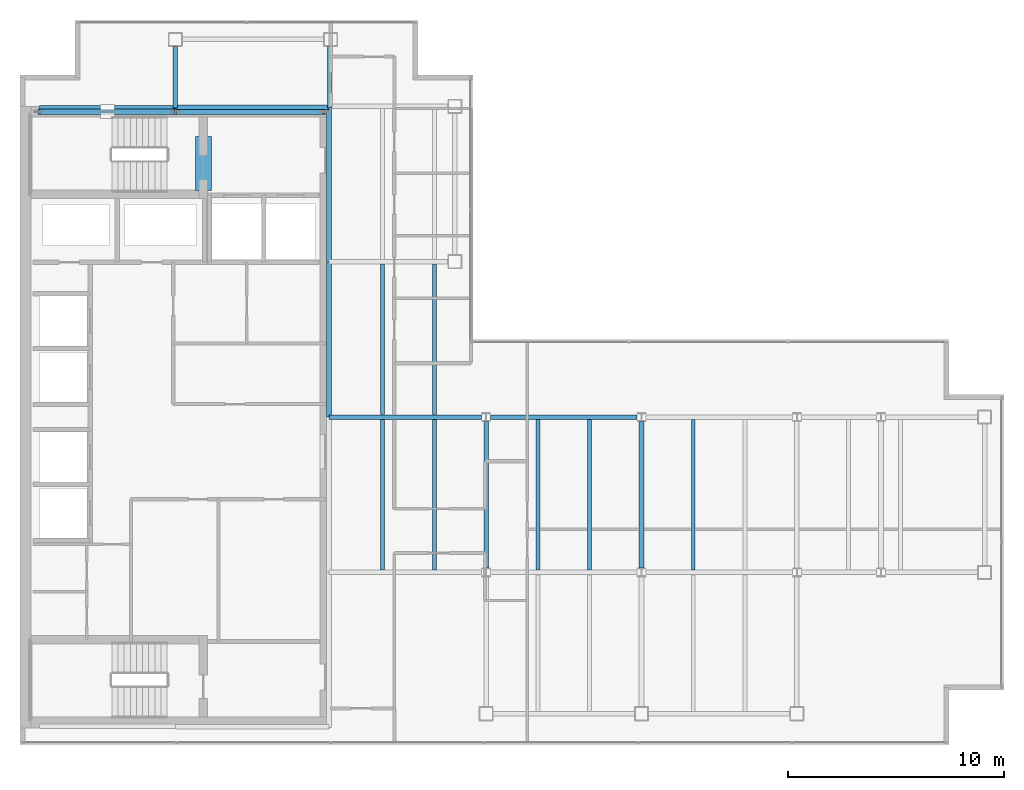
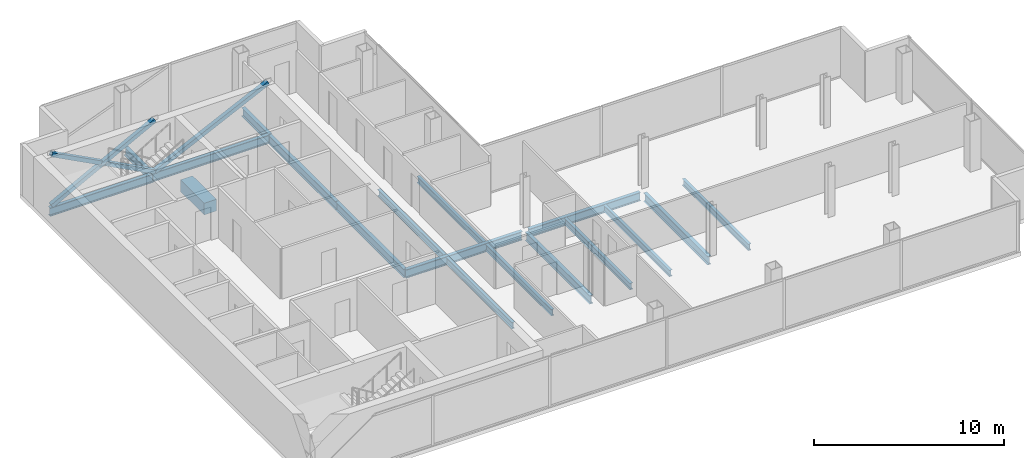
# One storey, part 7 of 23: 18 beams, 4 members.
"""IFC4 building model written with IfcOpenShell, lengths in metres."""

from ifc_helpers import new_model, si_unit, direction, frame, origin, origin_2d, place, context, subcontext, project, spatial, rectangle, hollow_rectangle, i_section, extrude, material, material_profile, profile_set, type_object, element, save


model = new_model("IFC4")

# Units and contexts
model_context = context("Model", 3, precision=1e-05, world=origin(), true_north=direction((0.0, 1.0)))
body_context = subcontext(model_context, "Body", "Model", "MODEL_VIEW")
ifc_project = project(units=[si_unit("LENGTHUNIT", "METRE"), si_unit("AREAUNIT", "SQUARE_METRE"), si_unit("VOLUMEUNIT", "CUBIC_METRE"), si_unit("PLANEANGLEUNIT", "RADIAN"), si_unit("MASSUNIT", "GRAM", prefix="KILO")], contexts=[model_context])

# Site, building, storey
site_placement = place(None, origin())
site = spatial("IfcSite", under=ifc_project, at=site_placement, CompositionType="ELEMENT")
building_placement = place(site_placement, origin())
building = spatial("IfcBuilding", under=site, at=building_placement, Name="Cobrela Telecom Tower", CompositionType="ELEMENT")
storey_placement = place(building_placement, frame((0.0, 0.0, 258.64990234375)))
storey = spatial("IfcBuildingStorey", under=building, at=storey_placement, Name="L67", CompositionType="ELEMENT", Elevation=258.64990234375)

# Beams
ifc_material_1 = material(Name="Concrete C40/50", Category="concrete")
ifc_material_profile_1 = material_profile(ifc_material_1, rectangle(XDim=0.75, YDim=0.75, at=origin_2d()), Name="RC 750x750")
ifc_profile_set_1 = profile_set([ifc_material_profile_1], Name="Concrete C40/50")
beam_type_1 = type_object("IfcBeamType", Name="BM-COUP-RC", PredefinedType="LINTEL", material=ifc_profile_set_1)
beam_1_placement = place(storey_placement, frame((8.5, 32.10009765625, -0.60986328125), z_axis=(0.0, 1.0, 0.0), x_axis=(-1.0, 0.0, 0.0)))
element("IfcBeam", 1, at=beam_1_placement, inside=storey, type_object=beam_type_1, Name="L67 Core Coupling Lintel Beam", PredefinedType="LINTEL", context=body_context, shape_type="SweptSolid", body=[
    extrude(rectangle(XDim=0.75, YDim=0.75, at=origin_2d()), origin(), (0.0, 0.0, 1.0), 2.5),
])
ifc_material_2 = material(Name="Steel ASTM A992 Grade 50", Category="steel")
ifc_material_profile_2 = material_profile(ifc_material_2, i_section(OverallWidth=0.212890625, OverallDepth=0.549072265625, WebThickness=0.0146484375, FlangeThickness=0.023681640625, FilletRadius=0.013916015625, at=origin_2d()), Name="W21X93")
ifc_profile_set_2 = profile_set([ifc_material_profile_2], Name="Steel ASTM A992 Grade 50")
beam_type_2 = type_object("IfcBeamType", Name="BM-GIRD-08", PredefinedType="USERDEFINED", material=ifc_profile_set_2)
beam_2_placement = place(storey_placement, frame((14.324951171875, 21.60009765625, -0.534423828125), z_axis=(1.0, 0.0, 0.0), x_axis=(0.0, 1.0, 0.0)))
element("IfcBeam", 2, at=beam_2_placement, inside=storey, type_object=beam_type_2, Name="L67 Primary Girder X10", ObjectType="GIRDER", PredefinedType="USERDEFINED", context=body_context, shape_type="SweptSolid", body=[
    extrude(i_section(OverallWidth=0.212890625, OverallDepth=0.549072265625, WebThickness=0.0146484375, FlangeThickness=0.023681640625, FilletRadius=0.013916015625, at=origin_2d()), origin(), (0.0, 0.0, 1.0), 7.070556640625),
])
beam_3_placement = place(storey_placement, frame((21.804443359375, 21.60009765625, -0.534423828125), z_axis=(1.0, 0.0, 0.0), x_axis=(0.0, 1.0, 0.0)))
element("IfcBeam", 3, at=beam_3_placement, inside=storey, type_object=beam_type_2, Name="L67 Primary Girder X11", ObjectType="GIRDER", PredefinedType="USERDEFINED", context=body_context, shape_type="SweptSolid", body=[
    extrude(i_section(OverallWidth=0.212890625, OverallDepth=0.549072265625, WebThickness=0.0146484375, FlangeThickness=0.023681640625, FilletRadius=0.013916015625, at=origin_2d()), origin(), (0.0, 0.0, 1.0), 6.791015625),
])
beam_4_placement = place(storey_placement, frame((0.905029296875, 35.919921875, -0.534423828125), z_axis=(1.0, 0.0, 0.0), x_axis=(0.0, 1.0, 0.0)))
element("IfcBeam", 4, at=beam_4_placement, inside=storey, type_object=beam_type_2, Name="L67 Primary Girder X16", ObjectType="GIRDER", PredefinedType="USERDEFINED", context=body_context, shape_type="SweptSolid", body=[
    extrude(i_section(OverallWidth=0.212890625, OverallDepth=0.549072265625, WebThickness=0.0146484375, FlangeThickness=0.023681640625, FilletRadius=0.013916015625, at=origin_2d()), origin(), (0.0, 0.0, 1.0), 6.2900390625),
])
beam_5_placement = place(storey_placement, frame((7.205078125, 35.9599609375, -0.534423828125), z_axis=(1.0, 0.0, 0.0), x_axis=(0.0, 1.0, 0.0)))
element("IfcBeam", 5, at=beam_5_placement, inside=storey, type_object=beam_type_2, Name="L67 Primary Girder X17", ObjectType="GIRDER", PredefinedType="USERDEFINED", context=body_context, shape_type="SweptSolid", body=[
    extrude(i_section(OverallWidth=0.212890625, OverallDepth=0.549072265625, WebThickness=0.0146484375, FlangeThickness=0.023681640625, FilletRadius=0.013916015625, at=origin_2d()), origin(), (0.0, 0.0, 1.0), 7.10986328125),
])
beam_6_placement = place(storey_placement, frame((7.199951171875, 35.925048828125, -0.534423828125), z_axis=(0.0, 1.0, 0.0), x_axis=(-1.0, 0.0, 0.0)))
element("IfcBeam", 6, at=beam_6_placement, inside=storey, type_object=beam_type_2, Name="L67 Primary Girder Y20", ObjectType="GIRDER", PredefinedType="USERDEFINED", context=body_context, shape_type="SweptSolid", body=[
    extrude(i_section(OverallWidth=0.212890625, OverallDepth=0.549072265625, WebThickness=0.0146484375, FlangeThickness=0.023681640625, FilletRadius=0.013916015625, at=origin_2d()), origin(), (0.0, 0.0, 1.0), 2.844970703125),
])
beam_7_placement = place(storey_placement, frame((14.320068359375, 21.60498046875, -0.534423828125), z_axis=(0.0, 1.0, 0.0), x_axis=(-1.0, 0.0, 0.0)))
element("IfcBeam", 7, at=beam_7_placement, inside=storey, type_object=beam_type_2, Name="L67 Primary Girder Y23", ObjectType="GIRDER", PredefinedType="USERDEFINED", context=body_context, shape_type="SweptSolid", body=[
    extrude(i_section(OverallWidth=0.212890625, OverallDepth=0.549072265625, WebThickness=0.0146484375, FlangeThickness=0.023681640625, FilletRadius=0.013916015625, at=origin_2d()), origin(), (0.0, 0.0, 1.0), 7.18994140625),
])
beam_8_placement = place(storey_placement, frame((14.320068359375, 28.804931640625, -0.534423828125), z_axis=(0.0, 1.0, 0.0), x_axis=(-1.0, 0.0, 0.0)))
element("IfcBeam", 8, at=beam_8_placement, inside=storey, type_object=beam_type_2, Name="L67 Primary Girder Y24", ObjectType="GIRDER", PredefinedType="USERDEFINED", context=body_context, shape_type="SweptSolid", body=[
    extrude(i_section(OverallWidth=0.212890625, OverallDepth=0.549072265625, WebThickness=0.0146484375, FlangeThickness=0.023681640625, FilletRadius=0.013916015625, at=origin_2d()), origin(), (0.0, 0.0, 1.0), 7.110107421875),
])
beam_9_placement = place(storey_placement, frame((14.360107421875, 35.925048828125, -0.534423828125), z_axis=(0.0, 1.0, 0.0), x_axis=(-1.0, 0.0, 0.0)))
element("IfcBeam", 9, at=beam_9_placement, inside=storey, type_object=beam_type_2, Name="L67 Primary Girder Y25", ObjectType="GIRDER", PredefinedType="USERDEFINED", context=body_context, shape_type="SweptSolid", body=[
    extrude(i_section(OverallWidth=0.212890625, OverallDepth=0.549072265625, WebThickness=0.0146484375, FlangeThickness=0.023681640625, FilletRadius=0.013916015625, at=origin_2d()), origin(), (0.0, 0.0, 1.0), 2.844970703125),
])
for number, where, z_axis, x_axis, name in (
    (10, (21.60009765625, 14.6044921875, -0.534423828125), (0.0, 1.0, 0.0), (-1.0, 0.0, 0.0), "L67 Primary Girder Y28"),
    (11, (28.800048828125, 14.6044921875, -0.534423828125), (0.0, 1.0, 0.0), (-1.0, 0.0, 0.0), "L67 Primary Girder Y30"),
):
    element("IfcBeam", number, at=place(storey_placement, frame(where, z_axis=z_axis, x_axis=x_axis)), inside=storey, type_object=beam_type_2, Name=name, ObjectType="GIRDER", PredefinedType="USERDEFINED", context=body_context, shape_type="SweptSolid", body=[
        extrude(i_section(OverallWidth=0.212890625, OverallDepth=0.549072265625, WebThickness=0.0146484375, FlangeThickness=0.023681640625, FilletRadius=0.013916015625, at=origin_2d()), origin(), (0.0, 0.0, 1.0), 6.791015625),
    ])
ifc_material_profile_3 = material_profile(ifc_material_2, i_section(OverallWidth=0.179931640625, OverallDepth=0.4169921875, WebThickness=0.010986328125, FlangeThickness=0.01806640625, FilletRadius=0.011962890625, at=origin_2d()), Name="W16X57")
ifc_profile_set_3 = profile_set([ifc_material_profile_3], Name="Steel ASTM A992 Grade 50")
beam_type_3 = type_object("IfcBeamType", Name="BM-JOIST-04", PredefinedType="JOIST", material=ifc_profile_set_3)
for number, where, z_axis, x_axis, name in (
    (12, (16.800048828125, 14.511474609375, -0.468505859375), (0.0, 1.0, 0.0), (-1.0, 0.0, 0.0), "L67 Secondary Composite Floor Beam J01"),
    (13, (16.800048828125, 21.71142578125, -0.468505859375), (0.0, 1.0, 0.0), (-1.0, 0.0, 0.0), "L67 Secondary Composite Floor Beam J02"),
    (14, (19.199951171875, 14.511474609375, -0.468505859375), (0.0, 1.0, 0.0), (-1.0, 0.0, 0.0), "L67 Secondary Composite Floor Beam J04"),
    (15, (19.199951171875, 21.71142578125, -0.468505859375), (0.0, 1.0, 0.0), (-1.0, 0.0, 0.0), "L67 Secondary Composite Floor Beam J05"),
    (16, (24.0, 14.511474609375, -0.468505859375), (0.0, 1.0, 0.0), (-1.0, 0.0, 0.0), "L67 Secondary Composite Floor Beam J08"),
    (17, (26.39990234375, 14.511474609375, -0.468505859375), (0.0, 1.0, 0.0), (-1.0, 0.0, 0.0), "L67 Secondary Composite Floor Beam J10"),
    (18, (31.199951171875, 14.511474609375, -0.468505859375), (0.0, 1.0, 0.0), (-1.0, 0.0, 0.0), "L67 Secondary Composite Floor Beam J12"),
):
    element("IfcBeam", number, at=place(storey_placement, frame(where, z_axis=z_axis, x_axis=x_axis)), inside=storey, type_object=beam_type_3, Name=name, PredefinedType="JOIST", context=body_context, shape_type="SweptSolid", body=[
        extrude(i_section(OverallWidth=0.179931640625, OverallDepth=0.4169921875, WebThickness=0.010986328125, FlangeThickness=0.01806640625, FilletRadius=0.011962890625, at=origin_2d()), origin(), (0.0, 0.0, 1.0), 6.97705078125),
    ])

# Members
ifc_material_3 = material(Name="Steel ASTM A572 Grade 50", Category="steel")
ifc_material_profile_4 = material_profile(ifc_material_3, hollow_rectangle(XDim=0.25, YDim=0.25, WallThickness=0.013916015625, at=origin_2d()), Name="HSS 250x250x14")
ifc_profile_set_4 = profile_set([ifc_material_profile_4], Name="Steel ASTM A572 Grade 50")
member_type = type_object("IfcMemberType", Name="MBR-EXO-04", PredefinedType="BRACE", material=ifc_profile_set_4)
member_1_placement = place(storey_placement, frame((0.89990234375, 35.75, -0.039794921875), z_axis=(0.884686085315, 0.0, 0.466187226821), x_axis=(0.0, 1.0, 0.0)))
element("IfcMember", 19, at=member_1_placement, inside=storey, type_object=member_type, Name="L67 Core Flange Steel X-Brace Continuous A", PredefinedType="BRACE", context=body_context, shape_type="SweptSolid", body=[
    extrude(hollow_rectangle(XDim=0.25, YDim=0.25, WallThickness=0.013916015625, at=origin_2d()), origin(), (0.0, 0.0, 1.0), 7.121337890625),
])
member_2_placement = place(storey_placement, frame((7.199951171875, 35.75, -0.039794921875), z_axis=(-0.884702916743, 0.0, 0.466155284328), x_axis=(0.0, -1.0, 0.0)))
element("IfcMember", 20, at=member_2_placement, inside=storey, type_object=member_type, Name="L67 Core Flange Steel X-Brace Split B1", PredefinedType="BRACE", context=body_context, shape_type="SweptSolid", body=[
    extrude(hollow_rectangle(XDim=0.25, YDim=0.25, WallThickness=0.013916015625, at=origin_2d()), origin(), (0.0, 0.0, 1.0), 3.42041015625),
])
member_3_placement = place(storey_placement, frame((3.926025390625, 35.75, 1.685302734375), z_axis=(-0.884673479945, 0.0, 0.466211147317), x_axis=(0.0, -1.0, 0.0)))
element("IfcMember", 21, at=member_3_placement, inside=storey, type_object=member_type, Name="L67 Core Flange Steel X-Brace Split B2", PredefinedType="BRACE", context=body_context, shape_type="SweptSolid", body=[
    extrude(hollow_rectangle(XDim=0.25, YDim=0.25, WallThickness=0.013916015625, at=origin_2d()), origin(), (0.0, 0.0, 1.0), 3.420654296875),
])
member_4_placement = place(storey_placement, frame((7.199951171875, 35.75, -0.039794921875), z_axis=(0.901127639633, 0.0, 0.433553891793), x_axis=(0.0, 1.0, 0.0)))
element("IfcMember", 22, at=member_4_placement, inside=storey, type_object=member_type, Name="L67 Core Flange Steel Brace N2", PredefinedType="BRACE", context=body_context, shape_type="SweptSolid", body=[
    extrude(hollow_rectangle(XDim=0.25, YDim=0.25, WallThickness=0.013916015625, at=origin_2d()), origin(), (0.0, 0.0, 1.0), 7.6572265625),
])

save(model, "model.ifc")
